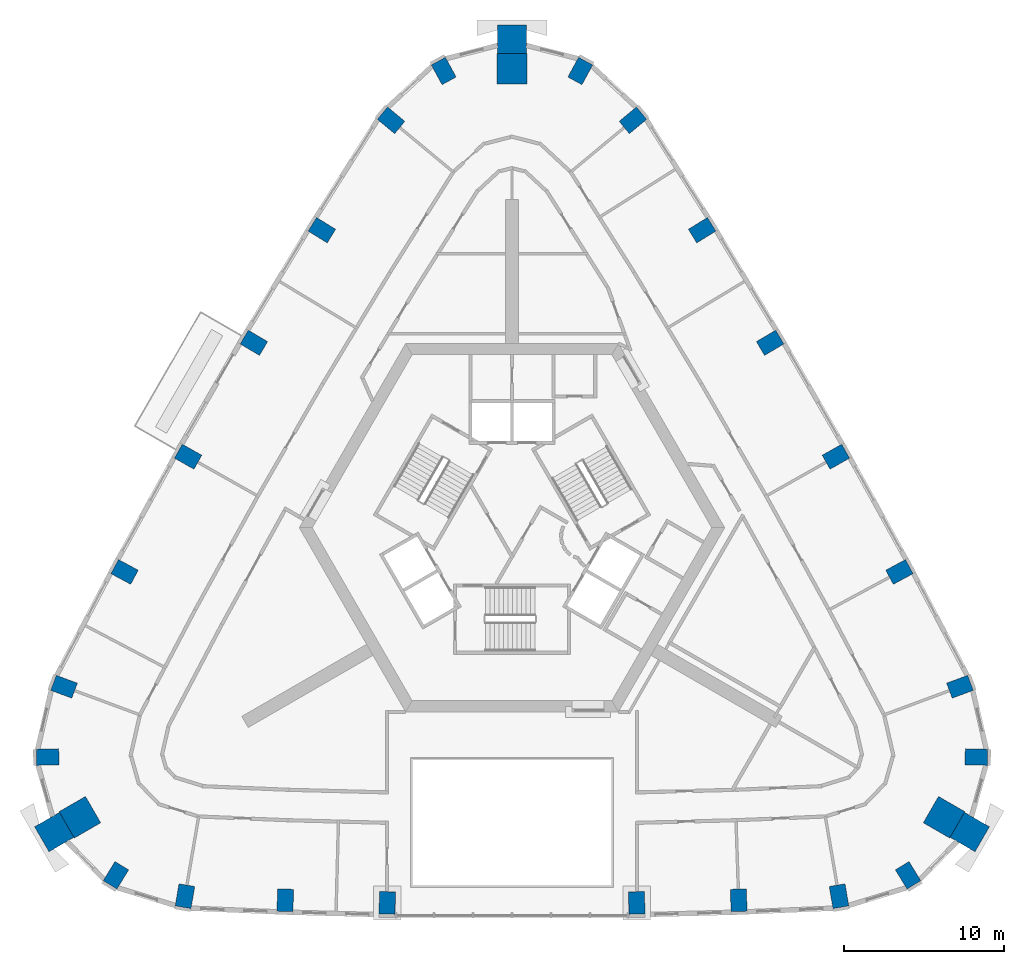
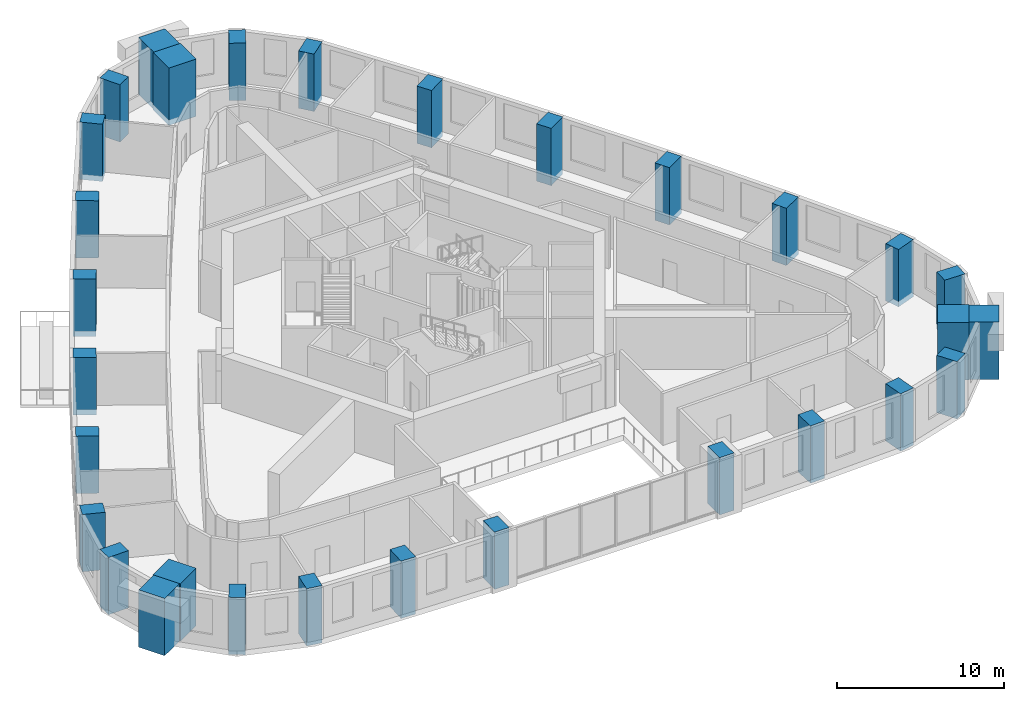
# One storey, part 1 of 13: 30 columns.
"""IFC4 building model written with IfcOpenShell, lengths in metres."""

from ifc_helpers import new_model, si_unit, direction, frame, origin, origin_2d, place, context, subcontext, project, spatial, rectangle, extrude, material, material_profile, profile_set, type_object, element, save


model = new_model("IFC4")

# Units and contexts
model_context = context("Model", 3, precision=1e-05, world=origin(), true_north=direction((0.0, 1.0)))
body_context = subcontext(model_context, "Body", "Model", "MODEL_VIEW")
ifc_project = project(units=[si_unit("LENGTHUNIT", "METRE"), si_unit("AREAUNIT", "SQUARE_METRE"), si_unit("VOLUMEUNIT", "CUBIC_METRE"), si_unit("PLANEANGLEUNIT", "RADIAN"), si_unit("MASSUNIT", "GRAM", prefix="KILO")], contexts=[model_context])

# Site, building, storey
site_placement = place(None, origin())
site = spatial("IfcSite", under=ifc_project, at=site_placement, CompositionType="ELEMENT")
building_placement = place(site_placement, origin())
building = spatial("IfcBuilding", under=site, at=building_placement, Name="Entoto Arch Interchange Tower", CompositionType="ELEMENT")
storey_placement = place(building_placement, frame((0.0, 0.0, 198.199951171875)))
storey = spatial("IfcBuildingStorey", under=building, at=storey_placement, Name="L44", CompositionType="ELEMENT", Elevation=198.199951171875)

# Columns
ifc_material_1 = material(Name="Concrete C50/60", Category="concrete")
ifc_material_profile_1 = material_profile(ifc_material_1, rectangle(XDim=1.0, YDim=1.39990234375, at=origin_2d()))
ifc_profile_set_1 = profile_set([ifc_material_profile_1], Name="Concrete C50/60")
column_type_1 = type_object("IfcColumnType", Name="Column RC 1000x1400 C50/60", PredefinedType="COLUMN", material=ifc_profile_set_1)
for number, where, z_axis, x_axis, name in (
    (1, (-20.4169921875, -20.5048828125, -0.39990234375), (0.0, 0.0, 1.0), (-0.985541276773, 0.169435509195, 0.0), "Column S01 L44"),
    (2, (-14.154052734375, -20.760009765625, -0.39990234375), (0.0, 0.0, 1.0), (-0.999420902032, 0.034027350502, 0.0), "Column S02 L44"),
    (3, (-7.7880859375, -20.927001953125, -0.39990234375), (0.0, 0.0, 1.0), (-0.999913181484, 0.013176854508, 0.0), "Column S03 L44"),
    (4, (7.7880859375, -20.927001953125, -0.39990234375), (0.0, 0.0, 1.0), (0.999913181484, 0.013176854508, 0.0), "Column S04 L44"),
    (5, (14.154052734375, -20.760009765625, -0.39990234375), (0.0, 0.0, 1.0), (0.999420902032, 0.034027350502, 0.0), "Column S05 L44"),
    (6, (20.4169921875, -20.5048828125, -0.39990234375), (0.0, 0.0, 1.0), (0.985541276773, 0.169435509195, 0.0), "Column S06 L44"),
    (7, (24.72802734375, -19.198974609375, -0.39990234375), (0.0, 0.0, 1.0), (0.853423465127, 0.521218178089, 0.0), "Column SE1 L44"),
    (8, (28.989990234375, -11.81591796875, -0.39990234375), (0.0, 0.0, 1.0), (0.024676450576, 0.99969549003, 0.0), "Column SE3 L44"),
    (9, (27.967041015625, -7.428955078125, -0.39990234375), (0.0, 0.0, 1.0), (-0.34706660219, 0.937840484114, 0.0), "Column NE01 L44"),
    (10, (24.18798828125, -0.259033203125, -0.39990234375), (0.0, 0.0, 1.0), (-0.474134310084, 0.880452529102, 0.0), "Column NE02 L44"),
    (11, (20.221923828125, 6.93408203125, -0.39990234375), (0.0, 0.0, 1.0), (-0.491435856222, 0.870913772551, 0.0), "Column NE03 L44"),
    (12, (16.115966796875, 14.0458984375, -0.39990234375), (0.0, 0.0, 1.0), (-0.508515523424, 0.861052822095, 0.0), "Column NE04 L44"),
    (13, (11.868896484375, 21.075927734375, -0.39990234375), (0.0, 0.0, 1.0), (-0.525427101986, 0.850838621889, 0.0), "Column NE05 L44"),
    (14, (7.549072265625, 27.93505859375, -0.39990234375), (0.0, 0.0, 1.0), (-0.638660382845, 0.769488736359, 0.0), "Column NE06 L44"),
    (15, (4.261962890625, 31.014892578125, -0.39990234375), (0.0, 0.0, 1.0), (-0.878099915703, 0.478477311941, 0.0), "Column N1 L44"),
    (16, (-4.261962890625, 31.014892578125, -0.39990234375), (0.0, 0.0, 1.0), (0.878099915703, 0.478477311941, 0.0), "Column N3 L44"),
    (17, (-7.549072265625, 27.93505859375, -0.39990234375), (0.0, 0.0, 1.0), (0.638660382845, 0.769488736359, 0.0), "Column NW01 L44"),
    (18, (-11.868896484375, 21.075927734375, -0.39990234375), (0.0, 0.0, 1.0), (0.525427101986, 0.850838621889, 0.0), "Column NW02 L44"),
    (19, (-16.115966796875, 14.0458984375, -0.39990234375), (0.0, 0.0, 1.0), (0.508515523424, 0.861052822095, 0.0), "Column NW03 L44"),
    (20, (-20.221923828125, 6.93408203125, -0.39990234375), (0.0, 0.0, 1.0), (0.491435856222, 0.870913772551, 0.0), "Column NW04 L44"),
    (21, (-24.18798828125, -0.259033203125, -0.39990234375), (0.0, 0.0, 1.0), (0.474134310084, 0.880452529102, 0.0), "Column NW05 L44"),
    (22, (-27.967041015625, -7.428955078125, -0.39990234375), (0.0, 0.0, 1.0), (0.34706660219, 0.937840484114, 0.0), "Column NW06 L44"),
    (23, (-28.989990234375, -11.81591796875, -0.39990234375), (0.0, 0.0, 1.0), (-0.024676450576, 0.99969549003, 0.0), "Column SW1 L44"),
    (24, (-24.72802734375, -19.198974609375, -0.39990234375), (0.0, 0.0, 1.0), (-0.853423465127, 0.521218178089, 0.0), "Column SW3 L44"),
):
    element("IfcColumn", number, at=place(storey_placement, frame(where, z_axis=z_axis, x_axis=x_axis)), inside=storey, type_object=column_type_1, Name=name, PredefinedType="COLUMN", context=body_context, shape_type="SweptSolid", body=[
        extrude(rectangle(XDim=1.0, YDim=1.39990234375, at=origin_2d()), origin(), (0.0, 0.0, 1.0), 4.199951171875),
    ])
ifc_material_2 = material(Name="Precast concrete C40/50", Category="concrete")
ifc_material_profile_2 = material_profile(ifc_material_2, rectangle(XDim=1.800048828125, YDim=1.800048828125, at=origin_2d()))
ifc_profile_set_2 = profile_set([ifc_material_profile_2], Name="Precast concrete C40/50")
column_type_2 = type_object("IfcColumnType", Name="Frame post RC 1800x1800 precast C40/50", PredefinedType="COLUMN", material=ifc_profile_set_2)
for number, where, z_axis, x_axis, name in (
    (25, (28.5791015625, -16.5, -0.39990234375), (0.0, 0.0, 1.0), (-0.866025403784, 0.5, 0.0), "Frame post SE L44"),
    (26, (0.0, 33.0, -0.39990234375), (0.0, 0.0, 1.0), (0.0, 1.0, 0.0), "Frame post N L44"),
    (27, (-28.5791015625, -16.5, -0.39990234375), (0.0, 0.0, 1.0), (0.866025403784, 0.5, 0.0), "Frame post SW L44"),
):
    element("IfcColumn", number, at=place(storey_placement, frame(where, z_axis=z_axis, x_axis=x_axis)), inside=storey, type_object=column_type_2, Name=name, PredefinedType="COLUMN", context=body_context, shape_type="SweptSolid", body=[
        extrude(rectangle(XDim=1.800048828125, YDim=1.800048828125, at=origin_2d()), origin(), (0.0, 0.0, 1.0), 4.199951171875),
    ])
ifc_material_profile_3 = material_profile(ifc_material_1, rectangle(XDim=1.89990234375, YDim=1.89990234375, at=origin_2d()))
ifc_profile_set_3 = profile_set([ifc_material_profile_3], Name="Concrete C50/60")
column_type_3 = type_object("IfcColumnType", Name="Mega column RC 1900x1900 C50/60", PredefinedType="COLUMN", material=ifc_profile_set_3)
for number, where, z_axis, x_axis, name in (
    (28, (26.97705078125, -15.574951171875, -0.39990234375), (0.0, 0.0, 1.0), (-0.866025403784, 0.5, 0.0), "Corner mega column SE2 L44"),
    (29, (0.0, 31.14990234375, -0.39990234375), (0.0, 0.0, 1.0), (0.0, 1.0, 0.0), "Corner mega column N2 L44"),
    (30, (-26.97705078125, -15.574951171875, -0.39990234375), (0.0, 0.0, 1.0), (0.866025403784, 0.5, 0.0), "Corner mega column SW2 L44"),
):
    element("IfcColumn", number, at=place(storey_placement, frame(where, z_axis=z_axis, x_axis=x_axis)), inside=storey, type_object=column_type_3, Name=name, PredefinedType="COLUMN", context=body_context, shape_type="SweptSolid", body=[
        extrude(rectangle(XDim=1.89990234375, YDim=1.89990234375, at=origin_2d()), origin(), (0.0, 0.0, 1.0), 4.199951171875),
    ])

save(model, "model.ifc")
